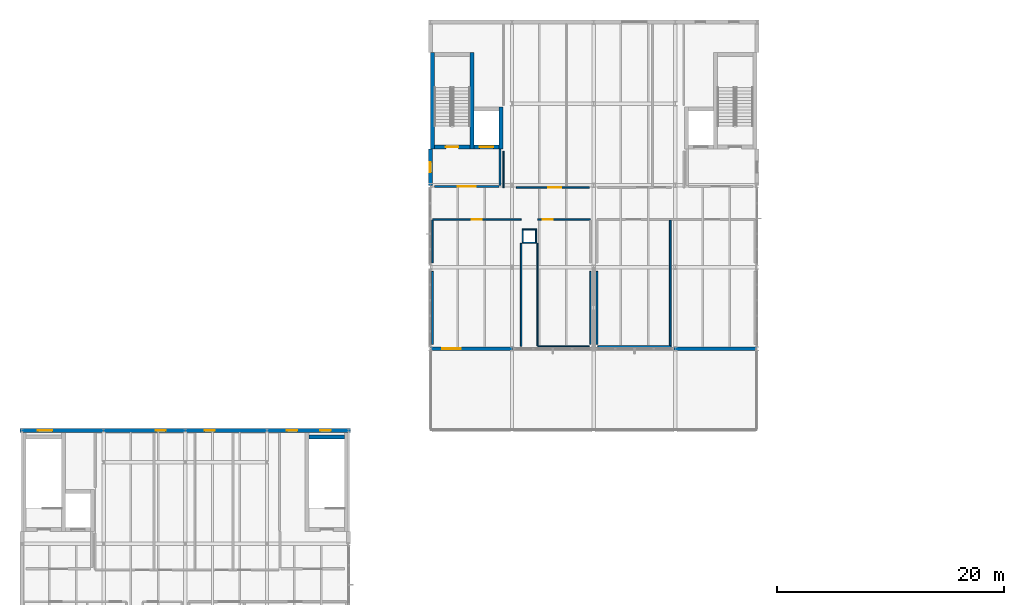
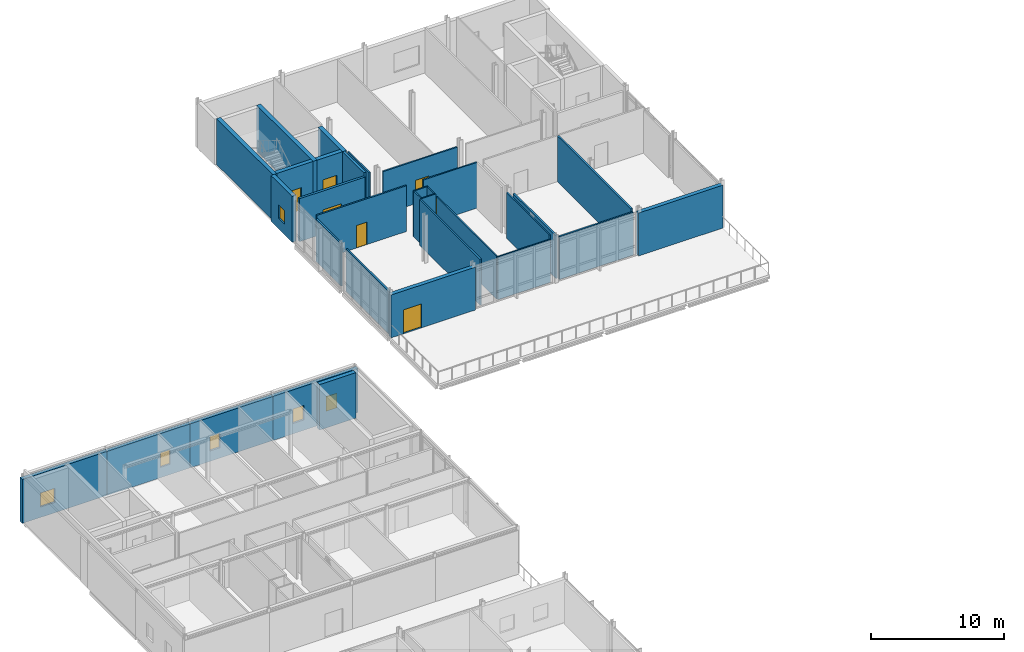
# One storey, part 42 of 53: 32 walls, 7 doors, 6 windows, 13 openings.
"""IFC4 building model written with IfcOpenShell, lengths in metres."""

from ifc_helpers import new_model, si_unit, direction, frame, frame_2d, origin, place, context, subcontext, project, spatial, rectangle, extrude, material, layer, layer_set, type_object, element, fill, save


model = new_model("IFC4")

# Units and contexts
model_context = context("Model", 3, precision=1e-05, world=origin(), true_north=direction((0.0, 1.0)))
body_context = subcontext(model_context, "Body", "Model", "MODEL_VIEW")
ifc_project = project(units=[si_unit("LENGTHUNIT", "METRE"), si_unit("AREAUNIT", "SQUARE_METRE"), si_unit("VOLUMEUNIT", "CUBIC_METRE"), si_unit("PLANEANGLEUNIT", "RADIAN"), si_unit("MASSUNIT", "GRAM", prefix="KILO")], contexts=[model_context])

# Site, building, storey
site_placement = place(None, origin())
site = spatial("IfcSite", under=ifc_project, at=site_placement, CompositionType="ELEMENT")
building_placement = place(site_placement, origin())
building = spatial("IfcBuilding", under=site, at=building_placement, Name="Zarrinpeak Specialist Clinic", CompositionType="ELEMENT")
storey_placement = place(building_placement, frame((0.0, 0.0, 14.0)))
storey = spatial("IfcBuildingStorey", under=building, at=storey_placement, Name="L03", CompositionType="ELEMENT", Elevation=14.0)

# Wall
ifc_material_1 = material(Name="Concrete C40/50", Category="concrete")
ifc_layer_1 = layer(ifc_material_1, 0.35009765625)
ifc_layer_set_1 = layer_set([ifc_layer_1], Name="Concrete C40/50")
wall_type_1 = type_object("IfcWallType", Name="WL-CR350", PredefinedType="SHEAR", material=ifc_layer_set_1)
wall_1_placement = place(storey_placement, frame((25.300048828125, 81.425048828125, 0.0), z_axis=(0.0, 0.0, 1.0), x_axis=(1.0, 0.0, 0.0)))
element("IfcWall", 1, at=wall_1_placement, inside=storey, type_object=wall_type_1, Name="L03 Core C10 Shear Wall STN", PredefinedType="SHEAR", context=body_context, shape_type="SweptSolid", body=[
    extrude(rectangle(XDim=3.14990234375, YDim=0.35009765625, at=frame_2d((1.574951171875, 0.0))), origin(), (0.0, 0.0, 1.0), 4.179931640625),
])

# Wall, opening, door
wall_2_placement = place(storey_placement, frame((36.35009765625, 106.97509765625, 0.0), z_axis=(0.0, 0.0, 1.0), x_axis=(1.0, 0.0, 0.0)))
wall_2 = element("IfcWall", 2, at=wall_2_placement, inside=storey, type_object=wall_type_1, Name="L03 Core C11 Shear Wall STS", PredefinedType="SHEAR", context=body_context, shape_type="SweptSolid", body=[
    extrude(rectangle(XDim=3.14990234375, YDim=0.35009765625, at=frame_2d((1.574951171875, 0.0))), origin(), (0.0, 0.0, 1.0), 4.199951171875),
])
opening_1_placement = place(wall_2_placement, frame((1.02490234375, 0.0, 0.0)))
opening_1 = element("IfcOpeningElement", 3, at=opening_1_placement, cuts=wall_2, Name="Opening D-S02", PredefinedType="OPENING", context=body_context, shape_type="SweptSolid", body=[
    extrude(rectangle(XDim=1.10009765625, YDim=2.14990234375, at=frame_2d((0.550048828125, 1.074951171875))), frame((0.0, 0.18505859375, 0.0), z_axis=(0.0, -1.0, 0.0), x_axis=(1.0, 0.0, 0.0)), (0.0, 0.0, 1.0), 0.3701171875),
])
ifc_material_2 = material(Name="Powder-Coated Galvanised Steel", Category="steel")
door_type_1 = type_object("IfcDoorType", Name="DR-FD110", OperationType="SINGLE_SWING_RIGHT", PredefinedType="DOOR", material=ifc_material_2)
door_1_placement = place(opening_1_placement, origin())
door_1 = element("IfcDoor", 4, at=door_1_placement, inside=storey, type_object=door_type_1, Name="L03 Protected Stair ST-11 Fire Door", OperationType="SINGLE_SWING_RIGHT", OverallHeight=2.14990234375, OverallWidth=1.10009765625, PredefinedType="DOOR", context=body_context, shape_type="SweptSolid", body=[
    extrude(rectangle(XDim=1.10009765625, YDim=2.14990234375, at=frame_2d((0.550048828125, 1.074951171875))), frame((0.0, 0.02490234375, 0.0), z_axis=(0.0, -1.0, 0.0), x_axis=(1.0, 0.0, 0.0)), (0.0, 0.0, 1.0), 0.050048828125),
])
fill(opening_1, door_1)

# Walls
for number, where, z_axis, x_axis, name in (
    (5, (36.175048828125, 106.800048828125, 0.0), (0.0, 0.0, 1.0), (0.0, 1.0, 0.0), "L03 Core C11 Shear Wall STW"),
    (6, (39.675048828125, 106.800048828125, 0.0), (0.0, 0.0, 1.0), (0.0, 1.0, 0.0), "L03 Core C11 Shear Wall STE"),
):
    element("IfcWall", number, at=place(storey_placement, frame(where, z_axis=z_axis, x_axis=x_axis)), inside=storey, type_object=wall_type_1, Name=name, PredefinedType="SHEAR", context=body_context, shape_type="SweptSolid", body=[
        extrude(rectangle(XDim=8.5, YDim=0.35009765625, at=frame_2d((4.25, 0.0))), origin(), (0.0, 0.0, 1.0), 4.199951171875),
    ])

# Wall, opening, door
wall_3_placement = place(storey_placement, frame((39.85009765625, 106.97509765625, 0.0), z_axis=(0.0, 0.0, 1.0), x_axis=(1.0, 0.0, 0.0)))
wall_3 = element("IfcWall", 7, at=wall_3_placement, inside=storey, type_object=wall_type_1, Name="L03 Lift LF-P1 Shaft Wall LFS", PredefinedType="SHEAR", context=body_context, shape_type="SweptSolid", body=[
    extrude(rectangle(XDim=2.199951171875, YDim=0.35009765625, at=frame_2d((1.10009765625, 0.0))), origin(), (0.0, 0.0, 1.0), 4.199951171875),
])
opening_2_placement = place(wall_3_placement, frame((0.5, 0.0, 0.0)))
opening_2 = element("IfcOpeningElement", 8, at=opening_2_placement, cuts=wall_3, Name="Opening LD-02", PredefinedType="OPENING", context=body_context, shape_type="SweptSolid", body=[
    extrude(rectangle(XDim=1.199951171875, YDim=2.199951171875, at=frame_2d((0.60009765625, 1.10009765625))), frame((0.0, 0.18505859375, 0.0), z_axis=(0.0, -1.0, 0.0), x_axis=(1.0, 0.0, 0.0)), (0.0, 0.0, 1.0), 0.3701171875),
])
door_type_2 = type_object("IfcDoorType", Name="DR-LD120", OperationType="SLIDING_TO_RIGHT", PredefinedType="DOOR", material=ifc_material_2)
door_2_placement = place(opening_2_placement, origin())
door_2 = element("IfcDoor", 9, at=door_2_placement, inside=storey, type_object=door_type_2, Name="L03 Lift LF-P1 Sliding Landing Door", OperationType="SLIDING_TO_RIGHT", OverallHeight=2.199951171875, OverallWidth=1.199951171875, PredefinedType="DOOR", context=body_context, shape_type="SweptSolid", body=[
    extrude(rectangle(XDim=1.199951171875, YDim=2.199951171875, at=frame_2d((0.60009765625, 1.10009765625))), frame((0.0, 0.02490234375, 0.0), z_axis=(0.0, -1.0, 0.0), x_axis=(1.0, 0.0, 0.0)), (0.0, 0.0, 1.0), 0.050048828125),
])
fill(opening_2, door_2)

# Wall
wall_4_placement = place(storey_placement, frame((42.22509765625, 106.800048828125, 0.0), z_axis=(0.0, 0.0, 1.0), x_axis=(0.0, 1.0, 0.0)))
element("IfcWall", 10, at=wall_4_placement, inside=storey, type_object=wall_type_1, Name="L03 Lift LF-P1 Shaft Wall LFE", PredefinedType="SHEAR", context=body_context, shape_type="SweptSolid", body=[
    extrude(rectangle(XDim=3.699951171875, YDim=0.35009765625, at=frame_2d((1.85009765625, 0.0))), origin(), (0.0, 0.0, 1.0), 4.199951171875),
])

# Wall, opening, window
ifc_material_3 = material(Name="Precast concrete C40/50", Category="concrete")
ifc_layer_2 = layer(ifc_material_3, 0.340087890625)
ifc_layer_set_2 = layer_set([ifc_layer_2], Name="Precast concrete C40/50")
wall_type_2 = type_object("IfcWallType", Name="WL-EW340", PredefinedType="STANDARD", material=ifc_layer_set_2)
wall_5_placement = place(storey_placement, frame((7.199951171875, 82.0, 0.0), z_axis=(0.0, 0.0, 1.0), x_axis=(-1.0, 0.0, 0.0)))
wall_5 = element("IfcWall", 11, at=wall_5_placement, inside=storey, type_object=wall_type_2, Name="L03 V5 Exterior GRC Wall EW-L03-V5-0257", PredefinedType="STANDARD", context=body_context, shape_type="SweptSolid", body=[
    extrude(rectangle(XDim=7.369873046875, YDim=0.340087890625, at=frame_2d((3.68505859375, 0.0))), origin(), (0.0, 0.0, 1.0), 4.034912109375),
])
opening_3_placement = place(wall_5_placement, frame((4.52490234375, 0.0, 0.949951171875)))
opening_3 = element("IfcOpeningElement", 12, at=opening_3_placement, cuts=wall_5, Name="Opening WS-26", PredefinedType="OPENING", context=body_context, shape_type="SweptSolid", body=[
    extrude(rectangle(XDim=1.26806640625, YDim=1.2958984375, at=frame_2d((0.634033203125, 0.64794921875))), frame((0.0, 0.18017578125, 0.0), z_axis=(0.0, -1.0, 0.0), x_axis=(1.0, 0.0, 0.0)), (0.0, 0.0, 1.0), 0.360107421875),
])
ifc_material_4 = material(Name="Thermally Broken Aluminium and Low-E Glazing", Category="aluminium")
window_type_1 = type_object("IfcWindowType", Name="WN-SP26", PartitioningType="SINGLE_PANEL", PredefinedType="WINDOW", material=ifc_material_4)
window_1_placement = place(opening_3_placement, origin())
window_1 = element("IfcWindow", 13, at=window_1_placement, inside=storey, type_object=window_type_1, Name="L03 Modular Facade Window WN-L03-0288", OverallHeight=1.2958984375, OverallWidth=1.26806640625, PartitioningType="SINGLE_PANEL", PredefinedType="WINDOW", context=body_context, shape_type="SweptSolid", body=[
    extrude(rectangle(XDim=1.26806640625, YDim=1.2958984375, at=frame_2d((0.634033203125, 0.64794921875))), frame((0.0, 0.030029296875, 0.0), z_axis=(0.0, -1.0, 0.0), x_axis=(1.0, 0.0, 0.0)), (0.0, 0.0, 1.0), 0.06005859375),
])
fill(opening_3, window_1)

wall_6_placement = place(storey_placement, frame((14.39990234375, 82.0, 0.0), z_axis=(0.0, 0.0, 1.0), x_axis=(-1.0, 0.0, 0.0)))
wall_6 = element("IfcWall", 14, at=wall_6_placement, inside=storey, type_object=wall_type_2, Name="L03 V5 Exterior GRC Wall EW-L03-V5-0258", PredefinedType="STANDARD", context=body_context, shape_type="SweptSolid", body=[
    extrude(rectangle(XDim=7.199951171875, YDim=0.340087890625, at=frame_2d((3.60009765625, 0.0))), origin(), (0.0, 0.0, 1.0), 4.034912109375),
])
opening_4_placement = place(wall_6_placement, frame((1.72998046875, 0.0, 0.949951171875)))
opening_4 = element("IfcOpeningElement", 15, at=opening_4_placement, cuts=wall_6, Name="Opening WS-27", PredefinedType="OPENING", context=body_context, shape_type="SweptSolid", body=[
    extrude(rectangle(XDim=0.860107421875, YDim=1.33203125, at=frame_2d((0.43017578125, 0.666015625))), frame((0.0, 0.18017578125, 0.0), z_axis=(0.0, -1.0, 0.0), x_axis=(1.0, 0.0, 0.0)), (0.0, 0.0, 1.0), 0.360107421875),
])
window_type_2 = type_object("IfcWindowType", Name="WN-SP27", PartitioningType="SINGLE_PANEL", PredefinedType="WINDOW", material=ifc_material_4)
window_2_placement = place(opening_4_placement, origin())
window_2 = element("IfcWindow", 16, at=window_2_placement, inside=storey, type_object=window_type_2, Name="L03 Modular Facade Window WN-L03-0289", OverallHeight=1.33203125, OverallWidth=0.860107421875, PartitioningType="SINGLE_PANEL", PredefinedType="WINDOW", context=body_context, shape_type="SweptSolid", body=[
    extrude(rectangle(XDim=0.860107421875, YDim=1.33203125, at=frame_2d((0.43017578125, 0.666015625))), frame((0.0, 0.030029296875, 0.0), z_axis=(0.0, -1.0, 0.0), x_axis=(1.0, 0.0, 0.0)), (0.0, 0.0, 1.0), 0.06005859375),
])
fill(opening_4, window_2)

wall_7_placement = place(storey_placement, frame((21.60009765625, 82.0, 0.0), z_axis=(0.0, 0.0, 1.0), x_axis=(-1.0, 0.0, 0.0)))
wall_7 = element("IfcWall", 17, at=wall_7_placement, inside=storey, type_object=wall_type_2, Name="L03 V5 Exterior GRC Wall EW-L03-V5-0259", PredefinedType="STANDARD", context=body_context, shape_type="SweptSolid", body=[
    extrude(rectangle(XDim=7.2001953125, YDim=0.340087890625, at=frame_2d((3.60009765625, 0.0))), origin(), (0.0, 0.0, 1.0), 4.034912109375),
])
opening_5_placement = place(wall_7_placement, frame((4.593017578125, 0.0, 0.949951171875)))
opening_5 = element("IfcOpeningElement", 18, at=opening_5_placement, cuts=wall_7, Name="Opening WS-28", PredefinedType="OPENING", context=body_context, shape_type="SweptSolid", body=[
    extrude(rectangle(XDim=0.89404296875, YDim=1.33203125, at=frame_2d((0.447021484375, 0.666015625))), frame((0.0, 0.18017578125, 0.0), z_axis=(0.0, -1.0, 0.0), x_axis=(1.0, 0.0, 0.0)), (0.0, 0.0, 1.0), 0.360107421875),
])
window_type_3 = type_object("IfcWindowType", Name="WN-SP28", PartitioningType="SINGLE_PANEL", PredefinedType="WINDOW", material=ifc_material_4)
window_3_placement = place(opening_5_placement, origin())
window_3 = element("IfcWindow", 19, at=window_3_placement, inside=storey, type_object=window_type_3, Name="L03 Modular Facade Window WN-L03-0290", OverallHeight=1.33203125, OverallWidth=0.89404296875, PartitioningType="SINGLE_PANEL", PredefinedType="WINDOW", context=body_context, shape_type="SweptSolid", body=[
    extrude(rectangle(XDim=0.89404296875, YDim=1.33203125, at=frame_2d((0.447021484375, 0.666015625))), frame((0.0, 0.030029296875, 0.0), z_axis=(0.0, -1.0, 0.0), x_axis=(1.0, 0.0, 0.0)), (0.0, 0.0, 1.0), 0.06005859375),
])
fill(opening_5, window_3)

# Wall, openings, windows
wall_8_placement = place(storey_placement, frame((28.969970703125, 82.0, 0.0), z_axis=(0.0, 0.0, 1.0), x_axis=(-1.0, 0.0, 0.0)))
wall_8 = element("IfcWall", 20, at=wall_8_placement, inside=storey, type_object=wall_type_2, Name="L03 V5 Exterior GRC Wall EW-L03-V5-0260", PredefinedType="STANDARD", context=body_context, shape_type="SweptSolid", body=[
    extrude(rectangle(XDim=7.369873046875, YDim=0.340087890625, at=frame_2d((3.68505859375, 0.0))), origin(), (0.0, 0.0, 1.0), 4.034912109375),
])
opening_6_placement = place(wall_8_placement, frame((1.7470703125, 0.0, 0.949951171875)))
opening_6 = element("IfcOpeningElement", 21, at=opening_6_placement, cuts=wall_8, Name="Opening WS-29", PredefinedType="OPENING", context=body_context, shape_type="SweptSolid", body=[
    extrude(rectangle(XDim=0.927978515625, YDim=1.33203125, at=frame_2d((0.4638671875, 0.666015625))), frame((0.0, 0.18017578125, 0.0), z_axis=(0.0, -1.0, 0.0), x_axis=(1.0, 0.0, 0.0)), (0.0, 0.0, 1.0), 0.360107421875),
])
opening_7_placement = place(wall_8_placement, frame((4.695068359375, 0.0, 0.949951171875)))
opening_7 = element("IfcOpeningElement", 22, at=opening_7_placement, cuts=wall_8, Name="Opening WS-29", PredefinedType="OPENING", context=body_context, shape_type="SweptSolid", body=[
    extrude(rectangle(XDim=0.927978515625, YDim=1.33203125, at=frame_2d((0.4638671875, 0.666015625))), frame((0.0, 0.18017578125, 0.0), z_axis=(0.0, -1.0, 0.0), x_axis=(1.0, 0.0, 0.0)), (0.0, 0.0, 1.0), 0.360107421875),
])
window_type_4 = type_object("IfcWindowType", Name="WN-SP29", PartitioningType="SINGLE_PANEL", PredefinedType="WINDOW", material=ifc_material_4)
window_4_placement = place(opening_6_placement, origin())
window_4 = element("IfcWindow", 23, at=window_4_placement, inside=storey, type_object=window_type_4, Name="L03 Modular Facade Window WN-L03-0291", OverallHeight=1.33203125, OverallWidth=0.927978515625, PartitioningType="SINGLE_PANEL", PredefinedType="WINDOW", context=body_context, shape_type="SweptSolid", body=[
    extrude(rectangle(XDim=0.927978515625, YDim=1.33203125, at=frame_2d((0.4638671875, 0.666015625))), frame((0.0, 0.030029296875, 0.0), z_axis=(0.0, -1.0, 0.0), x_axis=(1.0, 0.0, 0.0)), (0.0, 0.0, 1.0), 0.06005859375),
])
fill(opening_6, window_4)
window_5_placement = place(opening_7_placement, origin())
window_5 = element("IfcWindow", 24, at=window_5_placement, inside=storey, type_object=window_type_4, Name="L03 Modular Facade Window WN-L03-0292", OverallHeight=1.33203125, OverallWidth=0.927978515625, PartitioningType="SINGLE_PANEL", PredefinedType="WINDOW", context=body_context, shape_type="SweptSolid", body=[
    extrude(rectangle(XDim=0.927978515625, YDim=1.33203125, at=frame_2d((0.4638671875, 0.666015625))), frame((0.0, 0.030029296875, 0.0), z_axis=(0.0, -1.0, 0.0), x_axis=(1.0, 0.0, 0.0)), (0.0, 0.0, 1.0), 0.06005859375),
])
fill(opening_7, window_5)

# Wall, opening, door
wall_9_placement = place(storey_placement, frame((36.0, 89.199951171875, 0.0), z_axis=(0.0, 0.0, 1.0), x_axis=(1.0, 0.0, 0.0)))
wall_9 = element("IfcWall", 25, at=wall_9_placement, inside=storey, type_object=wall_type_2, Name="L03 V6 Exterior GRC Wall EW-L03-V6-0301", PredefinedType="STANDARD", context=body_context, shape_type="SweptSolid", body=[
    extrude(rectangle(XDim=7.31005859375, YDim=0.340087890625, at=frame_2d((3.655029296875, 0.0))), origin(), (0.0, 0.0, 1.0), 3.93505859375),
])
opening_8_placement = place(wall_9_placement, frame((1.06201171875, 0.0, 0.0)))
opening_8 = element("IfcOpeningElement", 26, at=opening_8_placement, cuts=wall_9, Name="Opening D-TR2", PredefinedType="OPENING", context=body_context, shape_type="SweptSolid", body=[
    extrude(rectangle(XDim=1.60009765625, YDim=2.199951171875, at=frame_2d((0.800048828125, 1.10009765625))), frame((0.0, 0.18017578125, 0.0), z_axis=(0.0, -1.0, 0.0), x_axis=(1.0, 0.0, 0.0)), (0.0, 0.0, 1.0), 0.360107421875),
])
ifc_material_5 = material(Name="Powder-Coated Steel and Safety Glazing", Category="steel")
door_type_3 = type_object("IfcDoorType", Name="DR-TER160", OperationType="DOUBLE_DOOR_SINGLE_SWING", PredefinedType="DOOR", material=ifc_material_5)
door_3_placement = place(opening_8_placement, origin())
door_3 = element("IfcDoor", 27, at=door_3_placement, inside=storey, type_object=door_type_3, Name="L03 V6 Healing Terrace Access Door TD-06", OperationType="DOUBLE_DOOR_SINGLE_SWING", OverallHeight=2.199951171875, OverallWidth=1.60009765625, PredefinedType="DOOR", context=body_context, shape_type="SweptSolid", body=[
    extrude(rectangle(XDim=1.60009765625, YDim=2.199951171875, at=frame_2d((0.800048828125, 1.10009765625))), frame((0.0, 0.02490234375, 0.0), z_axis=(0.0, -1.0, 0.0), x_axis=(1.0, 0.0, 0.0)), (0.0, 0.0, 1.0), 0.050048828125),
])
fill(opening_8, door_3)

# Wall
wall_10_placement = place(storey_placement, frame((57.489990234375, 89.199951171875, 0.0), z_axis=(0.0, 0.0, 1.0), x_axis=(1.0, 0.0, 0.0)))
element("IfcWall", 28, at=wall_10_placement, inside=storey, type_object=wall_type_2, Name="L03 V6 Exterior GRC Wall EW-L03-V6-0302", PredefinedType="STANDARD", context=body_context, shape_type="SweptSolid", body=[
    extrude(rectangle(XDim=7.31005859375, YDim=0.340087890625, at=frame_2d((3.655029296875, 0.0))), origin(), (0.0, 0.0, 1.0), 3.93505859375),
])

# Wall, opening, window
wall_11_placement = place(storey_placement, frame((36.0, 106.800048828125, 0.0), z_axis=(0.0, 0.0, 1.0), x_axis=(0.0, -1.0, 0.0)))
wall_11 = element("IfcWall", 29, at=wall_11_placement, inside=storey, type_object=wall_type_2, Name="L03 V6 Exterior GRC Wall EW-L03-V6-0307", PredefinedType="STANDARD", context=body_context, shape_type="SweptSolid", body=[
    extrude(rectangle(XDim=3.199951171875, YDim=0.340087890625, at=frame_2d((1.60009765625, 0.0))), origin(), (0.0, 0.0, 1.0), 4.199951171875),
])
opening_9_placement = place(wall_11_placement, frame((1.153076171875, 0.0, 0.949951171875)))
opening_9 = element("IfcOpeningElement", 30, at=opening_9_placement, cuts=wall_11, Name="Opening WS-02", PredefinedType="OPENING", context=body_context, shape_type="SweptSolid", body=[
    extrude(rectangle(XDim=0.89404296875, YDim=1.260009765625, at=frame_2d((0.447021484375, 0.6298828125))), frame((0.0, 0.18017578125, 0.0), z_axis=(0.0, -1.0, 0.0), x_axis=(1.0, 0.0, 0.0)), (0.0, 0.0, 1.0), 0.360107421875),
])
window_type_5 = type_object("IfcWindowType", Name="WN-SP02", PartitioningType="SINGLE_PANEL", PredefinedType="WINDOW", material=ifc_material_4)
window_6_placement = place(opening_9_placement, origin())
window_6 = element("IfcWindow", 31, at=window_6_placement, inside=storey, type_object=window_type_5, Name="L03 Modular Facade Window WN-L03-0345", OverallHeight=1.260009765625, OverallWidth=0.89404296875, PartitioningType="SINGLE_PANEL", PredefinedType="WINDOW", context=body_context, shape_type="SweptSolid", body=[
    extrude(rectangle(XDim=0.89404296875, YDim=1.260009765625, at=frame_2d((0.447021484375, 0.6298828125))), frame((0.0, 0.030029296875, 0.0), z_axis=(0.0, -1.0, 0.0), x_axis=(1.0, 0.0, 0.0)), (0.0, 0.0, 1.0), 0.06005859375),
])
fill(opening_9, window_6)

# Walls
ifc_material_6 = material(Name="Sanitary Service Chase Plumbing Wall", Category="gypsum")
ifc_layer_3 = layer(ifc_material_6, 0.110107421875)
ifc_layer_set_3 = layer_set([ifc_layer_3], Name="Sanitary Service Chase Plumbing Wall")
wall_type_3 = type_object("IfcWallType", Name="WL-IW110", PredefinedType="PARTITIONING", material=ifc_layer_set_3)
for number, where, z_axis, x_axis, name in (
    (32, (44.090087890625, 98.544921875, 0.0), (0.0, 0.0, 1.0), (1.0, 0.0, 0.0), "L03 V6 Enclosed MEP Service Riser Wall S"),
    (33, (44.090087890625, 99.705078125, 0.0), (0.0, 0.0, 1.0), (1.0, 0.0, 0.0), "L03 V6 Enclosed MEP Service Riser Wall N"),
):
    element("IfcWall", number, at=place(storey_placement, frame(where, z_axis=z_axis, x_axis=x_axis)), inside=storey, type_object=wall_type_3, Name=name, PredefinedType="PARTITIONING", context=body_context, shape_type="SweptSolid", body=[
        extrude(rectangle(XDim=1.27001953125, YDim=0.110107421875, at=frame_2d((0.635009765625, 0.0))), origin(), (0.0, 0.0, 1.0), 4.199951171875),
    ])
for number, where, z_axis, x_axis, name in (
    (34, (44.14501953125, 98.60009765625, 0.0), (0.0, 0.0, 1.0), (0.0, 1.0, 0.0), "L03 V6 Enclosed MEP Service Riser Wall W"),
    (35, (45.304931640625, 98.60009765625, 0.0), (0.0, 0.0, 1.0), (0.0, 1.0, 0.0), "L03 V6 Enclosed MEP Service Riser Wall E"),
):
    element("IfcWall", number, at=place(storey_placement, frame(where, z_axis=z_axis, x_axis=x_axis)), inside=storey, type_object=wall_type_3, Name=name, PredefinedType="PARTITIONING", context=body_context, shape_type="SweptSolid", body=[
        extrude(rectangle(XDim=1.0498046875, YDim=0.110107421875, at=frame_2d((0.52490234375, 0.0))), origin(), (0.0, 0.0, 1.0), 4.199951171875),
    ])
wall_12_placement = place(storey_placement, frame((45.449951171875, 89.39990234375, 0.0), z_axis=(0.0, 0.0, 1.0), x_axis=(1.0, 0.0, 0.0)))
element("IfcWall", 36, at=wall_12_placement, inside=storey, type_object=wall_type_3, Name="L03 Washroom Partition", PredefinedType="PARTITIONING", context=body_context, shape_type="SweptSolid", body=[
    extrude(rectangle(XDim=4.570068359375, YDim=0.110107421875, at=frame_2d((2.28515625, 0.0))), origin(), (0.0, 0.0, 1.0), 3.93505859375),
])
wall_13_placement = place(storey_placement, frame((45.449951171875, 89.455078125, 0.0), z_axis=(0.0, 0.0, 1.0), x_axis=(0.0, 1.0, 0.0)))
element("IfcWall", 37, at=wall_13_placement, inside=storey, type_object=wall_type_3, Name="L03 Washroom Dividing Partition", PredefinedType="PARTITIONING", context=body_context, shape_type="SweptSolid", body=[
    extrude(rectangle(XDim=9.034912109375, YDim=0.110107421875, at=frame_2d((4.517578125, 0.0))), origin(), (0.0, 0.0, 1.0), 3.945068359375),
])
wall_14_placement = place(storey_placement, frame((50.10009765625, 89.580078125, 0.0), z_axis=(0.0, 0.0, 1.0), x_axis=(0.0, 1.0, 0.0)))
element("IfcWall", 38, at=wall_14_placement, inside=storey, type_object=wall_type_3, Name="L03 Washroom Dividing Partition", PredefinedType="PARTITIONING", context=body_context, shape_type="SweptSolid", body=[
    extrude(rectangle(XDim=6.43994140625, YDim=0.110107421875, at=frame_2d((3.219970703125, 0.0))), origin(), (0.0, 0.0, 1.0), 4.199951171875),
])
ifc_material_7 = material(Name="Cleanroom Flush Phenolic Partition", Category="gypsum")
ifc_layer_4 = layer(ifc_material_7, 0.117919921875)
ifc_layer_set_4 = layer_set([ifc_layer_4], Name="Cleanroom Flush Phenolic Partition")
wall_type_4 = type_object("IfcWallType", Name="WL-IW118", PredefinedType="PARTITIONING", material=ifc_layer_set_4)
wall_15_placement = place(storey_placement, frame((42.449951171875, 103.39990234375, 0.0), z_axis=(0.0, 0.0, 1.0), x_axis=(0.0, 1.0, 0.0)))
element("IfcWall", 39, at=wall_15_placement, inside=storey, type_object=wall_type_4, Name="L03 Translational Genomics Wet Lab Dividing Partition", PredefinedType="PARTITIONING", context=body_context, shape_type="SweptSolid", body=[
    extrude(rectangle(XDim=3.22509765625, YDim=0.117919921875, at=frame_2d((1.612548828125, 0.0))), origin(), (0.0, 0.0, 1.0), 4.199951171875),
])

# Wall, opening, door
ifc_material_8 = material(Name="Moisture-Resistant Wet-Room Partition", Category="gypsum")
ifc_layer_5 = layer(ifc_material_8, 0.125)
ifc_layer_set_5 = layer_set([ifc_layer_5], Name="Moisture-Resistant Wet-Room Partition")
wall_type_5 = type_object("IfcWallType", Name="WL-IW125W", PredefinedType="PARTITIONING", material=ifc_layer_set_5)
wall_16_placement = place(storey_placement, frame((45.449951171875, 100.60009765625, 0.0), z_axis=(0.0, 0.0, 1.0), x_axis=(1.0, 0.0, 0.0)))
wall_16 = element("IfcWall", 40, at=wall_16_placement, inside=storey, type_object=wall_type_5, Name="L03 Washroom Partition", PredefinedType="PARTITIONING", context=body_context, shape_type="SweptSolid", body=[
    extrude(rectangle(XDim=4.650146484375, YDim=0.125, at=frame_2d((2.3251953125, 0.0))), origin(), (0.0, 0.0, 1.0), 4.199951171875),
])
opening_10_placement = place(wall_16_placement, frame((0.449951171875, 0.0, 0.0)))
opening_10 = element("IfcOpeningElement", 41, at=opening_10_placement, cuts=wall_16, Name="Opening D-W01", PredefinedType="OPENING", context=body_context, shape_type="SweptSolid", body=[
    extrude(rectangle(XDim=0.89990234375, YDim=2.10009765625, at=frame_2d((0.449951171875, 1.050048828125))), frame((0.0, 0.072509765625, 0.0), z_axis=(0.0, -1.0, 0.0), x_axis=(1.0, 0.0, 0.0)), (0.0, 0.0, 1.0), 0.14501953125),
])
door_type_4 = type_object("IfcDoorType", Name="DR-WC90", OperationType="SINGLE_SWING_RIGHT", PredefinedType="DOOR", material=ifc_material_2)
door_4_placement = place(opening_10_placement, origin())
door_4 = element("IfcDoor", 42, at=door_4_placement, inside=storey, type_object=door_type_4, Name="L03 Washroom Door", OperationType="SINGLE_SWING_RIGHT", OverallHeight=2.10009765625, OverallWidth=0.89990234375, PredefinedType="DOOR", context=body_context, shape_type="SweptSolid", body=[
    extrude(rectangle(XDim=0.89990234375, YDim=2.10009765625, at=frame_2d((0.449951171875, 1.050048828125))), frame((0.0, 0.02490234375, 0.0), z_axis=(0.0, -1.0, 0.0), x_axis=(1.0, 0.0, 0.0)), (0.0, 0.0, 1.0), 0.050048828125),
])
fill(opening_10, door_4)

wall_17_placement = place(storey_placement, frame((43.580078125, 103.39990234375, 0.0), z_axis=(0.0, 0.0, 1.0), x_axis=(1.0, 0.0, 0.0)))
wall_17 = element("IfcWall", 43, at=wall_17_placement, inside=storey, type_object=wall_type_5, Name="L03 Accessible Researcher WC Partition", PredefinedType="PARTITIONING", context=body_context, shape_type="SweptSolid", body=[
    extrude(rectangle(XDim=6.43994140625, YDim=0.125, at=frame_2d((3.219970703125, 0.0))), origin(), (0.0, 0.0, 1.0), 3.93505859375),
])
opening_11_placement = place(wall_17_placement, frame((2.820068359375, 0.0, 0.0)))
opening_11 = element("IfcOpeningElement", 44, at=opening_11_placement, cuts=wall_17, Name="Opening D-LB1", PredefinedType="OPENING", context=body_context, shape_type="SweptSolid", body=[
    extrude(rectangle(XDim=1.14990234375, YDim=2.14990234375, at=frame_2d((0.574951171875, 1.074951171875))), frame((0.0, 0.072509765625, 0.0), z_axis=(0.0, -1.0, 0.0), x_axis=(1.0, 0.0, 0.0)), (0.0, 0.0, 1.0), 0.14501953125),
])
door_type_5 = type_object("IfcDoorType", Name="DR-LAB115", OperationType="SINGLE_SWING_LEFT", PredefinedType="DOOR", material=ifc_material_2)
door_5_placement = place(opening_11_placement, frame((1.14990234375, 0.0, 0.0), z_axis=(0.0, 0.0, 1.0), x_axis=(-1.0, 0.0, 0.0)))
door_5 = element("IfcDoor", 45, at=door_5_placement, inside=storey, type_object=door_type_5, Name="L03 Translational Genomics Wet Lab Door", OperationType="SINGLE_SWING_LEFT", OverallHeight=2.14990234375, OverallWidth=1.14990234375, PredefinedType="DOOR", context=body_context, shape_type="SweptSolid", body=[
    extrude(rectangle(XDim=1.14990234375, YDim=2.14990234375, at=frame_2d((0.574951171875, 1.074951171875))), frame((0.0, 0.02490234375, 0.0), z_axis=(0.0, -1.0, 0.0), x_axis=(1.0, 0.0, 0.0)), (0.0, 0.0, 1.0), 0.050048828125),
])
fill(opening_11, door_5)

ifc_material_9 = material(Name="Standard Drywall Partition", Category="gypsum")
ifc_layer_6 = layer(ifc_material_9, 0.135009765625)
ifc_layer_set_6 = layer_set([ifc_layer_6], Name="Standard Drywall Partition")
wall_type_6 = type_object("IfcWallType", Name="WL-IW135", PredefinedType="PARTITIONING", material=ifc_layer_set_6)
wall_18_placement = place(storey_placement, frame((36.199951171875, 100.60009765625, 0.0), z_axis=(0.0, 0.0, 1.0), x_axis=(1.0, 0.0, 0.0)))
wall_18 = element("IfcWall", 46, at=wall_18_placement, inside=storey, type_object=wall_type_6, Name="L03 Specialist Consultation Room 1 Partition", PredefinedType="PARTITIONING", context=body_context, shape_type="SweptSolid", body=[
    extrude(rectangle(XDim=7.800048828125, YDim=0.135009765625, at=frame_2d((3.89990234375, 0.0))), origin(), (0.0, 0.0, 1.0), 4.199951171875),
])
opening_12_placement = place(wall_18_placement, frame((3.4599609375, 0.0, 0.0)))
opening_12 = element("IfcOpeningElement", 47, at=opening_12_placement, cuts=wall_18, Name="Opening DS-14", PredefinedType="OPENING", context=body_context, shape_type="SweptSolid", body=[
    extrude(rectangle(XDim=0.8798828125, YDim=2.068115234375, at=frame_2d((0.43994140625, 1.0341796875))), frame((0.0, 0.07763671875, 0.0), z_axis=(0.0, -1.0, 0.0), x_axis=(1.0, 0.0, 0.0)), (0.0, 0.0, 1.0), 0.155029296875),
])
door_type_6 = type_object("IfcDoorType", Name="DR-SP14", OperationType="SINGLE_SWING_LEFT", PredefinedType="DOOR", material=ifc_material_2)
door_6_placement = place(opening_12_placement, origin())
door_6 = element("IfcDoor", 48, at=door_6_placement, inside=storey, type_object=door_type_6, Name="L03 Specialist Consultation Room 1 Door", OperationType="SINGLE_SWING_LEFT", OverallHeight=2.068115234375, OverallWidth=0.8798828125, PredefinedType="DOOR", context=body_context, shape_type="SweptSolid", body=[
    extrude(rectangle(XDim=0.8798828125, YDim=2.068115234375, at=frame_2d((0.43994140625, 1.0341796875))), frame((0.0, 0.02490234375, 0.0), z_axis=(0.0, -1.0, 0.0), x_axis=(1.0, 0.0, 0.0)), (0.0, 0.0, 1.0), 0.050048828125),
])
fill(opening_12, door_6)

# Walls
wall_19_placement = place(storey_placement, frame((44.0, 89.39990234375, 0.0), z_axis=(0.0, 0.0, 1.0), x_axis=(0.0, 1.0, 0.0)))
element("IfcWall", 49, at=wall_19_placement, inside=storey, type_object=wall_type_6, Name="L03 Specialist Consultation Room 1 Dividing Partition", PredefinedType="PARTITIONING", context=body_context, shape_type="SweptSolid", body=[
    extrude(rectangle(XDim=9.090087890625, YDim=0.135009765625, at=frame_2d((4.544921875, 0.0))), origin(), (0.0, 0.0, 1.0), 4.199951171875),
])
ifc_material_10 = material(Name="Acoustic Consultation Stud Partition", Category="gypsum")
ifc_layer_7 = layer(ifc_material_10, 0.14208984375)
ifc_layer_set_7 = layer_set([ifc_layer_7], Name="Acoustic Consultation Stud Partition")
wall_type_7 = type_object("IfcWallType", Name="WL-IW142", PredefinedType="PARTITIONING", material=ifc_layer_set_7)
wall_20_placement = place(storey_placement, frame((50.780029296875, 89.39990234375, 0.0), z_axis=(0.0, 0.0, 1.0), x_axis=(1.0, 0.0, 0.0)))
element("IfcWall", 50, at=wall_20_placement, inside=storey, type_object=wall_type_7, Name="L03 Bioinformatics Dry Lab Partition", PredefinedType="PARTITIONING", context=body_context, shape_type="SweptSolid", body=[
    extrude(rectangle(XDim=6.43994140625, YDim=0.14208984375, at=frame_2d((3.219970703125, 0.0))), origin(), (0.0, 0.0, 1.0), 3.93505859375),
])
wall_21_placement = place(storey_placement, frame((36.199951171875, 96.780029296875, 0.0), z_axis=(0.0, 0.0, 1.0), x_axis=(0.0, 1.0, 0.0)))
element("IfcWall", 51, at=wall_21_placement, inside=storey, type_object=wall_type_7, Name="L03 Specialist Consultation Room 1 Dividing Partition", PredefinedType="PARTITIONING", context=body_context, shape_type="SweptSolid", body=[
    extrude(rectangle(XDim=3.75244140625, YDim=0.14208984375, at=frame_2d((1.876220703125, 0.0))), origin(), (0.0, 0.0, 1.0), 3.885009765625),
])
ifc_material_11 = material(Name="Insulated Clinical Gypsum Stud Partition", Category="gypsum")
ifc_layer_8 = layer(ifc_material_11, 0.14990234375)
ifc_layer_set_8 = layer_set([ifc_layer_8], Name="Insulated Clinical Gypsum Stud Partition")
wall_type_8 = type_object("IfcWallType", Name="WL-IW150", PredefinedType="PARTITIONING", material=ifc_layer_set_8)
wall_22_placement = place(storey_placement, frame((36.199951171875, 89.580078125, 0.0), z_axis=(0.0, 0.0, 1.0), x_axis=(0.0, 1.0, 0.0)))
element("IfcWall", 52, at=wall_22_placement, inside=storey, type_object=wall_type_8, Name="L03 Specialist Consultation Room 1 Dividing Partition", PredefinedType="PARTITIONING", context=body_context, shape_type="SweptSolid", body=[
    extrude(rectangle(XDim=6.43994140625, YDim=0.14990234375, at=frame_2d((3.219970703125, 0.0))), origin(), (0.0, 0.0, 1.0), 3.885009765625),
])
ifc_material_12 = material(Name="Acoustic Double Gypsum Stud Partition", Category="gypsum")
ifc_layer_9 = layer(ifc_material_12, 0.159912109375)
ifc_layer_set_9 = layer_set([ifc_layer_9], Name="Acoustic Double Gypsum Stud Partition")
wall_type_9 = type_object("IfcWallType", Name="WL-IW160", PredefinedType="PARTITIONING", material=ifc_layer_set_9)
wall_23_placement = place(storey_placement, frame((50.699951171875, 89.580078125, 0.0), z_axis=(0.0, 0.0, 1.0), x_axis=(0.0, 1.0, 0.0)))
element("IfcWall", 53, at=wall_23_placement, inside=storey, type_object=wall_type_9, Name="L03 Bioinformatics Dry Lab Dividing Partition", PredefinedType="PARTITIONING", context=body_context, shape_type="SweptSolid", body=[
    extrude(rectangle(XDim=6.43994140625, YDim=0.159912109375, at=frame_2d((3.219970703125, 0.0))), origin(), (0.0, 0.0, 1.0), 3.89501953125),
])
wall_24_placement = place(storey_placement, frame((57.14990234375, 89.470947265625, 0.0), z_axis=(0.0, 0.0, 1.0), x_axis=(0.0, 1.0, 0.0)))
element("IfcWall", 54, at=wall_24_placement, inside=storey, type_object=wall_type_9, Name="L03 Bioinformatics Dry Lab Dividing Partition", PredefinedType="PARTITIONING", context=body_context, shape_type="SweptSolid", body=[
    extrude(rectangle(XDim=11.05810546875, YDim=0.159912109375, at=frame_2d((5.529052734375, 0.0))), origin(), (0.0, 0.0, 1.0), 4.199951171875),
])

# Wall, opening, door
ifc_material_13 = material(Name="Autoclaved Aerated Concrete Blockwork", Category="masonry")
ifc_layer_10 = layer(ifc_material_13, 0.199951171875)
ifc_layer_set_10 = layer_set([ifc_layer_10], Name="Autoclaved Aerated Concrete Blockwork")
wall_type_10 = type_object("IfcWallType", Name="WL-IW200", PredefinedType="PARTITIONING", material=ifc_layer_set_10)
wall_25_placement = place(storey_placement, frame((36.35009765625, 103.5, 0.0), z_axis=(0.0, 0.0, 1.0), x_axis=(1.0, 0.0, 0.0)))
wall_25 = element("IfcWall", 55, at=wall_25_placement, inside=storey, type_object=wall_type_10, Name="L03 C11 Protected Lobby Partition LBF", PredefinedType="PARTITIONING", context=body_context, shape_type="SweptSolid", body=[
    extrude(rectangle(XDim=5.699951171875, YDim=0.199951171875, at=frame_2d((2.85009765625, 0.0))), origin(), (0.0, 0.0, 1.0), 3.93505859375),
])
opening_13_placement = place(wall_25_placement, frame((2.050048828125, 0.0, 0.0)))
opening_13 = element("IfcOpeningElement", 56, at=opening_13_placement, cuts=wall_25, Name="Opening D-L01", PredefinedType="OPENING", context=body_context, shape_type="SweptSolid", body=[
    extrude(rectangle(XDim=1.60009765625, YDim=2.199951171875, at=frame_2d((0.800048828125, 1.10009765625))), frame((0.0, 0.10986328125, 0.0), z_axis=(0.0, -1.0, 0.0), x_axis=(1.0, 0.0, 0.0)), (0.0, 0.0, 1.0), 0.219970703125),
])
door_type_7 = type_object("IfcDoorType", Name="DR-LB160", OperationType="DOUBLE_DOOR_SINGLE_SWING", PredefinedType="DOOR", material=ifc_material_2)
door_7_placement = place(opening_13_placement, origin())
door_7 = element("IfcDoor", 57, at=door_7_placement, inside=storey, type_object=door_type_7, Name="L03 C11 Lobby Hold-Open Fire Door", OperationType="DOUBLE_DOOR_SINGLE_SWING", OverallHeight=2.199951171875, OverallWidth=1.60009765625, PredefinedType="DOOR", context=body_context, shape_type="SweptSolid", body=[
    extrude(rectangle(XDim=1.60009765625, YDim=2.199951171875, at=frame_2d((0.800048828125, 1.10009765625))), frame((0.0, 0.02490234375, 0.0), z_axis=(0.0, -1.0, 0.0), x_axis=(1.0, 0.0, 0.0)), (0.0, 0.0, 1.0), 0.050048828125),
])
fill(opening_13, door_7)

# Wall
wall_26_placement = place(storey_placement, frame((42.14990234375, 103.60009765625, 0.0), z_axis=(0.0, 0.0, 1.0), x_axis=(0.0, 1.0, 0.0)))
element("IfcWall", 58, at=wall_26_placement, inside=storey, type_object=wall_type_10, Name="L03 C11 Protected Lobby Partition LBE", PredefinedType="PARTITIONING", context=body_context, shape_type="SweptSolid", body=[
    extrude(rectangle(XDim=3.199951171875, YDim=0.199951171875, at=frame_2d((1.60009765625, 0.0))), origin(), (0.0, 0.0, 1.0), 4.199951171875),
])

save(model, "model.ifc")
